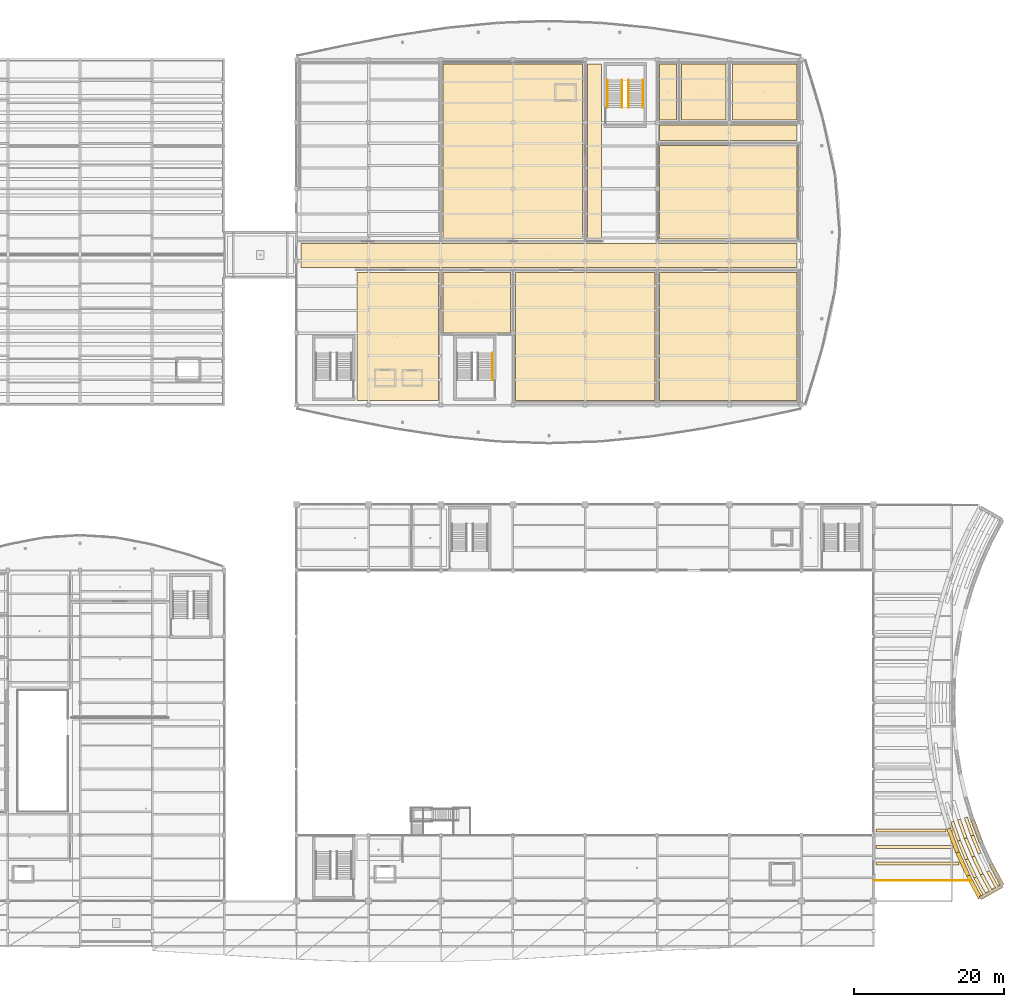
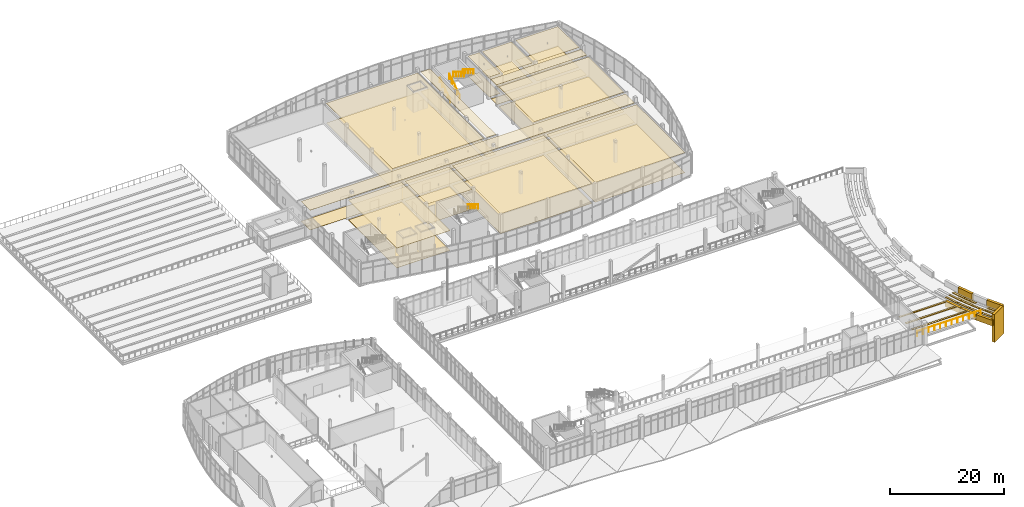
# One storey, part 155 of 157: 44 coverings, 6 railings, 2 elements without a shape of their own.
"""IFC4 building model written with IfcOpenShell, lengths in metres."""

from ifc_helpers import new_model, si_unit, direction, frame, origin, origin_2d, place, context, subcontext, project, spatial, polyline, circle, outline, extrude, material, layer, layer_set, type_object, element, aggregate, save


model = new_model("IFC4")

# Units and contexts
model_context = context("Model", 3, precision=1e-05, world=origin(), true_north=direction((0.0, 1.0)))
body_context = subcontext(model_context, "Body", "Model", "MODEL_VIEW")
ifc_project = project(units=[si_unit("LENGTHUNIT", "METRE"), si_unit("AREAUNIT", "SQUARE_METRE"), si_unit("VOLUMEUNIT", "CUBIC_METRE"), si_unit("PLANEANGLEUNIT", "RADIAN"), si_unit("MASSUNIT", "GRAM", prefix="KILO")], contexts=[model_context])

# Site, building, storey
site_placement = place(None, origin())
site = spatial("IfcSite", under=ifc_project, at=site_placement, CompositionType="ELEMENT")
building_placement = place(site_placement, origin())
building = spatial("IfcBuilding", under=site, at=building_placement, Name="Chalmorin Arch Market", CompositionType="ELEMENT")
storey_placement = place(building_placement, frame((0.0, 0.0, 4.800048828125)))
storey = spatial("IfcBuildingStorey", under=building, at=storey_placement, Name="L01", CompositionType="ELEMENT", Elevation=4.800048828125)

# Coverings
ifc_material_1 = material(Name="Mineral Fibre Acoustic Tile")
ifc_layer_1 = layer(ifc_material_1, 0.044921875)
ifc_layer_set_1 = layer_set([ifc_layer_1], Name="Mineral Fibre Acoustic Tile")
covering_type_1 = type_object("IfcCoveringType", Name="AcousticBaffleCeiling-45", PredefinedType="CEILING", material=ifc_layer_set_1)
covering_1_placement = place(storey_placement, frame((0.0, 0.0, 4.23486328125)))
element("IfcCovering", 1, at=covering_1_placement, inside=storey, type_object=covering_type_1, Name="CLG-01-172", PredefinedType="CEILING", context=body_context, shape_type="SweptSolid", body=[
    extrude(outline(polyline([(56.02001953125, 72.6201171875), (66.8798828125, 72.6201171875), (66.8798828125, 89.679931640625), (56.02001953125, 89.679931640625), (56.02001953125, 72.6201171875)])), origin(), (0.0, 0.0, 1.0), 0.045166015625),
])
covering_2_placement = place(storey_placement, frame((0.0, 0.0, 4.23486328125)))
element("IfcCovering", 2, at=covering_2_placement, inside=storey, type_object=covering_type_1, Name="CLG-01-180", PredefinedType="CEILING", context=body_context, shape_type="SweptSolid", body=[
    extrude(outline(polyline([(48.6201171875, 90.320068359375), (114.580078125, 90.320068359375), (114.580078125, 93.47998046875), (48.6201171875, 93.47998046875), (48.6201171875, 90.320068359375)])), origin(), (0.0, 0.0, 1.0), 0.045166015625),
])
covering_3_placement = place(storey_placement, frame((0.0, 0.0, 4.23486328125)))
element("IfcCovering", 3, at=covering_3_placement, inside=storey, type_object=covering_type_1, Name="CLG-01-184", PredefinedType="CEILING", context=body_context, shape_type="SweptSolid", body=[
    extrude(outline(polyline([(86.719970703125, 94.1201171875), (88.580078125, 94.1201171875), (88.580078125, 117.3798828125), (86.719970703125, 117.3798828125), (86.719970703125, 94.1201171875)])), origin(), (0.0, 0.0, 1.0), 0.045166015625),
])
covering_4_placement = place(storey_placement, frame((0.0, 0.0, 4.23486328125)))
element("IfcCovering", 4, at=covering_4_placement, inside=storey, type_object=covering_type_1, Name="CLG-01-188", PredefinedType="CEILING", context=body_context, shape_type="SweptSolid", body=[
    extrude(outline(polyline([(67.52001953125, 94.1201171875), (86.080078125, 94.1201171875), (86.080078125, 117.3798828125), (67.52001953125, 117.3798828125), (67.52001953125, 94.1201171875)])), origin(), (0.0, 0.0, 1.0), 0.045166015625),
])
covering_5_placement = place(storey_placement, frame((0.0, 0.0, 4.23486328125)))
element("IfcCovering", 5, at=covering_5_placement, inside=storey, type_object=covering_type_1, Name="CLG-01-190", PredefinedType="CEILING", context=body_context, shape_type="SweptSolid", body=[
    extrude(outline(polyline([(96.320068359375, 94.1201171875), (114.580078125, 94.1201171875), (114.580078125, 106.580078125), (96.320068359375, 106.580078125), (96.320068359375, 94.1201171875)])), origin(), (0.0, 0.0, 1.0), 0.045166015625),
])
covering_6_placement = place(storey_placement, frame((0.0, 0.0, 4.23486328125)))
element("IfcCovering", 6, at=covering_6_placement, inside=storey, type_object=covering_type_1, Name="CLG-01-192", PredefinedType="CEILING", context=body_context, shape_type="SweptSolid", body=[
    extrude(outline(polyline([(96.320068359375, 107.219970703125), (114.580078125, 107.219970703125), (114.580078125, 109.280029296875), (96.320068359375, 109.280029296875), (96.320068359375, 107.219970703125)])), origin(), (0.0, 0.0, 1.0), 0.045166015625),
])
ifc_material_2 = material(Name="Epoxy Resin Flooring")
ifc_layer_2 = layer(ifc_material_2, 0.02001953125)
ifc_layer_set_2 = layer_set([ifc_layer_2], Name="Epoxy Resin Flooring")
covering_type_2 = type_object("IfcCoveringType", Name="EpoxySlipResistantKitchenFloor-20", PredefinedType="FLOORING", material=ifc_layer_set_2)
covering_7_placement = place(storey_placement, origin())
element("IfcCovering", 7, at=covering_7_placement, inside=storey, type_object=covering_type_2, Name="FLR-02-173", PredefinedType="FLOORING", context=body_context, shape_type="SweptSolid", body=[
    extrude(outline(polyline([(67.52001953125, 81.6201171875), (76.47998046875, 81.6201171875), (76.47998046875, 89.679931640625), (67.52001953125, 89.679931640625), (67.52001953125, 81.6201171875)])), origin(), (0.0, 0.0, 1.0), 0.02001953125),
])
covering_8_placement = place(storey_placement, origin())
element("IfcCovering", 8, at=covering_8_placement, inside=storey, type_object=covering_type_2, Name="FLR-02-175", PredefinedType="FLOORING", context=body_context, shape_type="SweptSolid", body=[
    extrude(outline(polyline([(77.1201171875, 72.6201171875), (95.679931640625, 72.6201171875), (95.679931640625, 89.679931640625), (77.1201171875, 89.679931640625), (77.1201171875, 72.6201171875)])), origin(), (0.0, 0.0, 1.0), 0.02001953125),
])
covering_9_placement = place(storey_placement, origin())
element("IfcCovering", 9, at=covering_9_placement, inside=storey, type_object=covering_type_2, Name="FLR-02-177", PredefinedType="FLOORING", context=body_context, shape_type="SweptSolid", body=[
    extrude(outline(polyline([(96.320068359375, 72.6201171875), (114.580078125, 72.6201171875), (114.580078125, 89.679931640625), (96.320068359375, 89.679931640625), (96.320068359375, 72.6201171875)])), origin(), (0.0, 0.0, 1.0), 0.02001953125),
])
covering_10_placement = place(storey_placement, origin())
element("IfcCovering", 10, at=covering_10_placement, inside=storey, type_object=covering_type_2, Name="FLR-02-187", PredefinedType="FLOORING", context=body_context, shape_type="SweptSolid", body=[
    extrude(outline(polyline([(67.52001953125, 94.1201171875), (86.080078125, 94.1201171875), (86.080078125, 117.3798828125), (67.52001953125, 117.3798828125), (67.52001953125, 94.1201171875)])), origin(), (0.0, 0.0, 1.0), 0.02001953125),
])
ifc_material_3 = material(Name="Powder-coated Aluminium Panel", Category="aluminium")
ifc_layer_3 = layer(ifc_material_3, 0.034912109375)
ifc_layer_set_3 = layer_set([ifc_layer_3], Name="Powder-coated Aluminium Panel")
covering_type_3 = type_object("IfcCoveringType", Name="HygienicWashableKitchenCeiling-35", PredefinedType="CEILING", material=ifc_layer_set_3)
covering_11_placement = place(storey_placement, frame((0.0, 0.0, 4.244873046875)))
element("IfcCovering", 11, at=covering_11_placement, inside=storey, type_object=covering_type_3, Name="CLG-02-174", PredefinedType="CEILING", context=body_context, shape_type="SweptSolid", body=[
    extrude(outline(polyline([(67.52001953125, 81.6201171875), (76.47998046875, 81.6201171875), (76.47998046875, 89.679931640625), (67.52001953125, 89.679931640625), (67.52001953125, 81.6201171875)])), origin(), (0.0, 0.0, 1.0), 0.03515625),
])
covering_12_placement = place(storey_placement, frame((0.0, 0.0, 4.244873046875)))
element("IfcCovering", 12, at=covering_12_placement, inside=storey, type_object=covering_type_3, Name="CLG-02-176", PredefinedType="CEILING", context=body_context, shape_type="SweptSolid", body=[
    extrude(outline(polyline([(77.1201171875, 72.6201171875), (95.679931640625, 72.6201171875), (95.679931640625, 89.679931640625), (77.1201171875, 89.679931640625), (77.1201171875, 72.6201171875)])), origin(), (0.0, 0.0, 1.0), 0.03515625),
])
covering_13_placement = place(storey_placement, frame((0.0, 0.0, 4.244873046875)))
element("IfcCovering", 13, at=covering_13_placement, inside=storey, type_object=covering_type_3, Name="CLG-02-178", PredefinedType="CEILING", context=body_context, shape_type="SweptSolid", body=[
    extrude(outline(polyline([(96.320068359375, 72.6201171875), (114.580078125, 72.6201171875), (114.580078125, 89.679931640625), (96.320068359375, 89.679931640625), (96.320068359375, 72.6201171875)])), origin(), (0.0, 0.0, 1.0), 0.03515625),
])
ifc_material_4 = material(Name="Gypsum Board Partition")
ifc_layer_4 = layer(ifc_material_4, 0.030029296875)
ifc_layer_set_4 = layer_set([ifc_layer_4], Name="Gypsum Board Partition")
covering_type_4 = type_object("IfcCoveringType", Name="MoistureResistantGypsumCeiling-30", PredefinedType="CEILING", material=ifc_layer_set_4)
covering_14_placement = place(storey_placement, frame((0.0, 0.0, 4.25)))
element("IfcCovering", 14, at=covering_14_placement, inside=storey, type_object=covering_type_4, Name="CLG-03-194", PredefinedType="CEILING", context=body_context, shape_type="SweptSolid", body=[
    extrude(outline(polyline([(96.320068359375, 109.919921875), (98.580078125, 109.919921875), (98.580078125, 117.3798828125), (96.320068359375, 117.3798828125), (96.320068359375, 109.919921875)])), origin(), (0.0, 0.0, 1.0), 0.030029296875),
])
covering_15_placement = place(storey_placement, frame((0.0, 0.0, 4.25)))
element("IfcCovering", 15, at=covering_15_placement, inside=storey, type_object=covering_type_4, Name="CLG-03-196", PredefinedType="CEILING", context=body_context, shape_type="SweptSolid", body=[
    extrude(outline(polyline([(99.219970703125, 109.919921875), (105.179931640625, 109.919921875), (105.179931640625, 117.3798828125), (99.219970703125, 117.3798828125), (99.219970703125, 109.919921875)])), origin(), (0.0, 0.0, 1.0), 0.030029296875),
])
covering_16_placement = place(storey_placement, frame((0.0, 0.0, 4.25)))
element("IfcCovering", 16, at=covering_16_placement, inside=storey, type_object=covering_type_4, Name="CLG-03-198", PredefinedType="CEILING", context=body_context, shape_type="SweptSolid", body=[
    extrude(outline(polyline([(106.02001953125, 109.919921875), (114.580078125, 109.919921875), (114.580078125, 117.3798828125), (106.02001953125, 117.3798828125), (106.02001953125, 109.919921875)])), origin(), (0.0, 0.0, 1.0), 0.030029296875),
])
ifc_material_5 = material(Name="Ceramic Porcelain Tile")
ifc_layer_5 = layer(ifc_material_5, 0.01806640625)
ifc_layer_set_5 = layer_set([ifc_layer_5], Name="Ceramic Porcelain Tile")
covering_type_5 = type_object("IfcCoveringType", Name="PorcelainRestroomTileFloor-18", PredefinedType="FLOORING", material=ifc_layer_set_5)
covering_17_placement = place(storey_placement, origin())
element("IfcCovering", 17, at=covering_17_placement, inside=storey, type_object=covering_type_5, Name="FLR-03-193", PredefinedType="FLOORING", context=body_context, shape_type="SweptSolid", body=[
    extrude(outline(polyline([(96.320068359375, 109.919921875), (98.580078125, 109.919921875), (98.580078125, 117.3798828125), (96.320068359375, 117.3798828125), (96.320068359375, 109.919921875)])), origin(), (0.0, 0.0, 1.0), 0.01806640625),
])
covering_18_placement = place(storey_placement, origin())
element("IfcCovering", 18, at=covering_18_placement, inside=storey, type_object=covering_type_5, Name="FLR-03-195", PredefinedType="FLOORING", context=body_context, shape_type="SweptSolid", body=[
    extrude(outline(polyline([(99.219970703125, 109.919921875), (105.179931640625, 109.919921875), (105.179931640625, 117.3798828125), (99.219970703125, 117.3798828125), (99.219970703125, 109.919921875)])), origin(), (0.0, 0.0, 1.0), 0.01806640625),
])
covering_19_placement = place(storey_placement, origin())
element("IfcCovering", 19, at=covering_19_placement, inside=storey, type_object=covering_type_5, Name="FLR-03-197", PredefinedType="FLOORING", context=body_context, shape_type="SweptSolid", body=[
    extrude(outline(polyline([(106.02001953125, 109.919921875), (114.580078125, 109.919921875), (114.580078125, 117.3798828125), (106.02001953125, 117.3798828125), (106.02001953125, 109.919921875)])), origin(), (0.0, 0.0, 1.0), 0.01806640625),
])

# Stair, railings
ifc_material_6 = material(Name="Concrete C40/50", Category="concrete")
stair_type_1 = type_object("IfcStairType", Name="DoglegExitStair-28R-SC6", PredefinedType="HALF_TURN_STAIR", material=ifc_material_6)
stair_1_placement = place(storey_placement, origin())
stair_1 = element("IfcStair", 20, at=stair_1_placement, inside=storey, type_object=stair_type_1, Name="ST-17", PredefinedType="HALF_TURN_STAIR")
ifc_material_7 = material(Name="Stainless Steel 316", Category="steel")
ifc_layer_6 = layer(ifc_material_7, 0.048095703125)
ifc_layer_set_6 = layer_set([ifc_layer_6], Name="Stainless Steel 316")
railing_type_1 = type_object("IfcRailingType", Name="StairTubeHandrail-920", PredefinedType="HANDRAIL", material=ifc_layer_set_6)
railing_1_placement = place(storey_placement, frame((89.39990234375, 111.610107421875, 0.17138671875)))
railing_1 = element("IfcRailing", 21, at=railing_1_placement, type_object=railing_type_1, Name="HR-01-071", PredefinedType="HANDRAIL", context=body_context, shape_type="SweptSolid", body=[
    extrude(circle(Radius=0.02392578125, at=origin_2d()), frame((0.0, 0.0, 0.89599609375), z_axis=(0.0, 0.852850264322, 0.5221555579), x_axis=(-1.0, 0.0, 0.0)), (0.0, 0.0, 1.0), 4.267822265625),
    extrude(circle(Radius=0.02099609375, at=origin_2d()), origin(), (0.0, 0.0, 1.0), 0.871826171875),
    extrude(circle(Radius=0.02099609375, at=origin_2d()), frame((0.0, 0.909912109375, 0.55712890625)), (0.0, 0.0, 1.0), 0.871826171875),
    extrude(circle(Radius=0.02099609375, at=origin_2d()), frame((0.0, 1.81982421875, 1.1142578125)), (0.0, 0.0, 1.0), 0.871826171875),
    extrude(circle(Radius=0.02099609375, at=origin_2d()), frame((0.0, 2.72998046875, 1.67138671875)), (0.0, 0.0, 1.0), 0.871826171875),
    extrude(circle(Radius=0.02099609375, at=origin_2d()), frame((0.0, 3.639892578125, 2.228515625)), (0.0, 0.0, 1.0), 0.871826171875),
])
railing_2_placement = place(storey_placement, frame((94.10009765625, 115.25, 2.5712890625)))
railing_2 = element("IfcRailing", 22, at=railing_2_placement, type_object=railing_type_1, Name="HR-01-074", PredefinedType="HANDRAIL", context=body_context, shape_type="SweptSolid", body=[
    extrude(circle(Radius=0.02392578125, at=origin_2d()), frame((0.0, 0.0, 0.89599609375), z_axis=(0.0, -0.852824790078, 0.522197163366), x_axis=(1.0, 0.0, 0.0)), (0.0, 0.0, 1.0), 4.26806640625),
    extrude(circle(Radius=0.02099609375, at=origin_2d()), origin(), (0.0, 0.0, 1.0), 0.871826171875),
    extrude(circle(Radius=0.02099609375, at=origin_2d()), frame((0.0, -0.909912109375, 0.55712890625)), (0.0, 0.0, 1.0), 0.871826171875),
    extrude(circle(Radius=0.02099609375, at=origin_2d()), frame((0.0, -1.81982421875, 1.1142578125)), (0.0, 0.0, 1.0), 0.871826171875),
    extrude(circle(Radius=0.02099609375, at=origin_2d()), frame((0.0, -2.72998046875, 1.671630859375)), (0.0, 0.0, 1.0), 0.871826171875),
    extrude(circle(Radius=0.02099609375, at=origin_2d()), frame((0.0, -3.639892578125, 2.228759765625)), (0.0, 0.0, 1.0), 0.871826171875),
])

# Stair, railing
stair_type_2 = type_object("IfcStairType", Name="DoglegExitStair-28R-SC7", PredefinedType="HALF_TURN_STAIR", material=ifc_material_6)
stair_2_placement = place(storey_placement, origin())
stair_2 = element("IfcStair", 23, at=stair_2_placement, inside=storey, type_object=stair_type_2, Name="ST-21", PredefinedType="HALF_TURN_STAIR")
railing_3_placement = place(storey_placement, frame((74.10009765625, 78.949951171875, 2.5712890625)))
railing_3 = element("IfcRailing", 24, at=railing_3_placement, type_object=railing_type_1, Name="HR-01-091", PredefinedType="HANDRAIL", context=body_context, shape_type="SweptSolid", body=[
    extrude(circle(Radius=0.02392578125, at=origin_2d()), frame((0.0, 0.0, 0.89599609375), z_axis=(0.0, -0.852824790078, 0.522197163366), x_axis=(1.0, 0.0, 0.0)), (0.0, 0.0, 1.0), 4.26806640625),
    extrude(circle(Radius=0.02099609375, at=origin_2d()), origin(), (0.0, 0.0, 1.0), 0.871826171875),
    extrude(circle(Radius=0.02099609375, at=origin_2d()), frame((0.0, -0.909912109375, 0.55712890625)), (0.0, 0.0, 1.0), 0.871826171875),
    extrude(circle(Radius=0.02099609375, at=origin_2d()), frame((0.0, -1.81982421875, 1.1142578125)), (0.0, 0.0, 1.0), 0.871826171875),
    extrude(circle(Radius=0.02099609375, at=origin_2d()), frame((0.0, -2.72998046875, 1.671630859375)), (0.0, 0.0, 1.0), 0.871826171875),
    extrude(circle(Radius=0.02099609375, at=origin_2d()), frame((0.0, -3.639892578125, 2.228759765625)), (0.0, 0.0, 1.0), 0.871826171875),
])
aggregate(stair_2, [railing_3])

# Railing
ifc_material_8 = material(Name="Galvanised Steel", Category="steel")
ifc_layer_7 = layer(ifc_material_8, 0.054931640625)
ifc_layer_set_7 = layer_set([ifc_layer_7], Name="Galvanised Steel")
railing_type_2 = type_object("IfcRailingType", Name="StairWellGuardrail-1100", PredefinedType="GUARDRAIL", material=ifc_layer_set_7)
railing_4_placement = place(storey_placement, frame((91.330078125, 111.610107421875, 0.17138671875)))
railing_4 = element("IfcRailing", 25, at=railing_4_placement, type_object=railing_type_2, Name="SG-01-072", PredefinedType="GUARDRAIL", context=body_context, shape_type="SweptSolid", body=[
    extrude(circle(Radius=0.02392578125, at=origin_2d()), frame((0.0, 0.0, 1.076171875), z_axis=(0.0, 0.852850264322, 0.5221555579), x_axis=(-1.0, 0.0, 0.0)), (0.0, 0.0, 1.0), 4.267822265625),
    extrude(circle(Radius=0.02099609375, at=origin_2d()), origin(), (0.0, 0.0, 1.0), 1.052001953125),
    extrude(circle(Radius=0.02099609375, at=origin_2d()), frame((0.0, 0.909912109375, 0.55712890625)), (0.0, 0.0, 1.0), 1.052001953125),
    extrude(circle(Radius=0.02099609375, at=origin_2d()), frame((0.0, 1.81982421875, 1.1142578125)), (0.0, 0.0, 1.0), 1.052001953125),
    extrude(circle(Radius=0.02099609375, at=origin_2d()), frame((0.0, 2.72998046875, 1.67138671875)), (0.0, 0.0, 1.0), 1.052001953125),
    extrude(circle(Radius=0.02099609375, at=origin_2d()), frame((0.0, 3.639892578125, 2.228515625)), (0.0, 0.0, 1.0), 1.052001953125),
])

railing_5_placement = place(storey_placement, frame((92.169921875, 115.25, 2.5712890625)))
railing_5 = element("IfcRailing", 26, at=railing_5_placement, type_object=railing_type_2, Name="SG-01-073", PredefinedType="GUARDRAIL", context=body_context, shape_type="SweptSolid", body=[
    extrude(circle(Radius=0.02392578125, at=origin_2d()), frame((0.0, 0.0, 1.076171875), z_axis=(0.0, -0.852824790078, 0.522197163366), x_axis=(1.0, 0.0, 0.0)), (0.0, 0.0, 1.0), 4.26806640625),
    extrude(circle(Radius=0.02099609375, at=origin_2d()), origin(), (0.0, 0.0, 1.0), 1.052001953125),
    extrude(circle(Radius=0.02099609375, at=origin_2d()), frame((0.0, -0.909912109375, 0.55712890625)), (0.0, 0.0, 1.0), 1.052001953125),
    extrude(circle(Radius=0.02099609375, at=origin_2d()), frame((0.0, -1.81982421875, 1.1142578125)), (0.0, 0.0, 1.0), 1.052001953125),
    extrude(circle(Radius=0.02099609375, at=origin_2d()), frame((0.0, -2.72998046875, 1.671630859375)), (0.0, 0.0, 1.0), 1.052001953125),
    extrude(circle(Radius=0.02099609375, at=origin_2d()), frame((0.0, -3.639892578125, 2.228759765625)), (0.0, 0.0, 1.0), 1.052001953125),
])

aggregate(stair_1, [railing_1, railing_4, railing_5, railing_2])

ifc_layer_8 = layer(ifc_material_8, 0.06005859375)
ifc_layer_set_8 = layer_set([ifc_layer_8], Name="Galvanised Steel")
railing_type_3 = type_object("IfcRailingType", Name="TerraceMeshGuardrail-1100", PredefinedType="GUARDRAIL", material=ifc_layer_set_8)
railing_6_placement = place(storey_placement, frame((124.89990234375, 8.75, 0.0)))
element("IfcRailing", 27, at=railing_6_placement, inside=storey, type_object=railing_type_3, Name="GR-014", PredefinedType="GUARDRAIL", context=body_context, shape_type="SweptSolid", body=[
    extrude(circle(Radius=0.02392578125, at=origin_2d()), frame((0.0, 0.0, 1.076171875), z_axis=(1.0, 0.0, 0.0), x_axis=(0.0, 1.0, 0.0)), (0.0, 0.0, 1.0), 12.877197265625),
    extrude(circle(Radius=0.02099609375, at=origin_2d()), origin(), (0.0, 0.0, 1.0), 1.052001953125),
    extrude(circle(Radius=0.02099609375, at=origin_2d()), frame((1.170654296875, 0.0, 0.0)), (0.0, 0.0, 1.0), 1.052001953125),
    extrude(circle(Radius=0.02099609375, at=origin_2d()), frame((2.34130859375, 0.0, 0.0)), (0.0, 0.0, 1.0), 1.052001953125),
    extrude(circle(Radius=0.02099609375, at=origin_2d()), frame((3.511962890625, 0.0, 0.0)), (0.0, 0.0, 1.0), 1.052001953125),
    extrude(circle(Radius=0.02099609375, at=origin_2d()), frame((4.6826171875, 0.0, 0.0)), (0.0, 0.0, 1.0), 1.052001953125),
    extrude(circle(Radius=0.02099609375, at=origin_2d()), frame((5.853271484375, 0.0, 0.0)), (0.0, 0.0, 1.0), 1.052001953125),
    extrude(circle(Radius=0.02099609375, at=origin_2d()), frame((7.02392578125, 0.0, 0.0)), (0.0, 0.0, 1.0), 1.052001953125),
    extrude(circle(Radius=0.02099609375, at=origin_2d()), frame((8.194580078125, 0.0, 0.0)), (0.0, 0.0, 1.0), 1.052001953125),
    extrude(circle(Radius=0.02099609375, at=origin_2d()), frame((9.365234375, 0.0, 0.0)), (0.0, 0.0, 1.0), 1.052001953125),
    extrude(circle(Radius=0.02099609375, at=origin_2d()), frame((10.535888671875, 0.0, 0.0)), (0.0, 0.0, 1.0), 1.052001953125),
    extrude(circle(Radius=0.02099609375, at=origin_2d()), frame((11.70654296875, 0.0, 0.0)), (0.0, 0.0, 1.0), 1.052001953125),
    extrude(circle(Radius=0.02099609375, at=origin_2d()), frame((12.877197265625, 0.0, 0.0)), (0.0, 0.0, 1.0), 1.052001953125),
])

# Coverings
ifc_material_9 = material(Name="Polished Terrazzo")
ifc_layer_9 = layer(ifc_material_9, 0.02490234375)
ifc_layer_set_9 = layer_set([ifc_layer_9], Name="Polished Terrazzo")
covering_type_6 = type_object("IfcCoveringType", Name="TerrazzoMarketFloorFinish-25", PredefinedType="FLOORING", material=ifc_layer_set_9)
covering_20_placement = place(storey_placement, origin())
element("IfcCovering", 28, at=covering_20_placement, inside=storey, type_object=covering_type_6, Name="FLR-01-171", PredefinedType="FLOORING", context=body_context, shape_type="SweptSolid", body=[
    extrude(outline(polyline([(56.02001953125, 72.6201171875), (66.8798828125, 72.6201171875), (66.8798828125, 89.679931640625), (56.02001953125, 89.679931640625), (56.02001953125, 72.6201171875)])), origin(), (0.0, 0.0, 1.0), 0.02490234375),
])
covering_21_placement = place(storey_placement, origin())
element("IfcCovering", 29, at=covering_21_placement, inside=storey, type_object=covering_type_6, Name="FLR-01-179", PredefinedType="FLOORING", context=body_context, shape_type="SweptSolid", body=[
    extrude(outline(polyline([(48.6201171875, 90.320068359375), (114.580078125, 90.320068359375), (114.580078125, 93.47998046875), (48.6201171875, 93.47998046875), (48.6201171875, 90.320068359375)])), origin(), (0.0, 0.0, 1.0), 0.02490234375),
])
covering_22_placement = place(storey_placement, origin())
element("IfcCovering", 30, at=covering_22_placement, inside=storey, type_object=covering_type_6, Name="FLR-01-183", PredefinedType="FLOORING", context=body_context, shape_type="SweptSolid", body=[
    extrude(outline(polyline([(86.719970703125, 94.1201171875), (88.580078125, 94.1201171875), (88.580078125, 117.3798828125), (86.719970703125, 117.3798828125), (86.719970703125, 94.1201171875)])), origin(), (0.0, 0.0, 1.0), 0.02490234375),
])
covering_23_placement = place(storey_placement, origin())
element("IfcCovering", 31, at=covering_23_placement, inside=storey, type_object=covering_type_6, Name="FLR-01-189", PredefinedType="FLOORING", context=body_context, shape_type="SweptSolid", body=[
    extrude(outline(polyline([(96.320068359375, 94.1201171875), (114.580078125, 94.1201171875), (114.580078125, 106.580078125), (96.320068359375, 106.580078125), (96.320068359375, 94.1201171875)])), origin(), (0.0, 0.0, 1.0), 0.02490234375),
])
covering_24_placement = place(storey_placement, origin())
element("IfcCovering", 32, at=covering_24_placement, inside=storey, type_object=covering_type_6, Name="FLR-01-191", PredefinedType="FLOORING", context=body_context, shape_type="SweptSolid", body=[
    extrude(outline(polyline([(96.320068359375, 107.219970703125), (114.580078125, 107.219970703125), (114.580078125, 109.280029296875), (96.320068359375, 109.280029296875), (96.320068359375, 107.219970703125)])), origin(), (0.0, 0.0, 1.0), 0.02490234375),
])
ifc_material_10 = material(Name="Planted Green Roof Turf")
ifc_layer_10 = layer(ifc_material_10, 0.044921875)
ifc_layer_set_10 = layer_set([ifc_layer_10], Name="Planted Green Roof Turf")
covering_type_7 = type_object("IfcCoveringType", Name="VegetatedMoundTurfStrip-45", PredefinedType="ROOFING", material=ifc_layer_set_10)
covering_25_placement = place(storey_placement, origin())
element("IfcCovering", 33, at=covering_25_placement, inside=storey, type_object=covering_type_7, Name="VMT-45-017", PredefinedType="ROOFING", context=body_context, shape_type="SweptSolid", body=[
    extrude(outline(polyline([(125.10009765625, 10.7900390625), (136.157958984375, 10.7900390625), (136.157958984375, 11.2099609375), (125.10009765625, 11.2099609375), (125.10009765625, 10.7900390625)])), origin(), (0.0, 0.0, 1.0), 0.044921875),
])
covering_26_placement = place(storey_placement, origin())
element("IfcCovering", 34, at=covering_26_placement, inside=storey, type_object=covering_type_7, Name="VMT-45-018", PredefinedType="ROOFING", context=body_context, shape_type="SweptSolid", body=[
    extrude(outline(polyline([(125.10009765625, 12.989990234375), (135.22412109375, 12.989990234375), (135.22412109375, 13.409912109375), (125.10009765625, 13.409912109375), (125.10009765625, 12.989990234375)])), origin(), (0.0, 0.0, 1.0), 0.044921875),
])
covering_27_placement = place(storey_placement, origin())
element("IfcCovering", 35, at=covering_27_placement, inside=storey, type_object=covering_type_7, Name="VMT-45-019", PredefinedType="ROOFING", context=body_context, shape_type="SweptSolid", body=[
    extrude(outline(polyline([(125.10009765625, 15.18994140625), (134.406982421875, 15.18994140625), (134.406982421875, 15.610107421875), (125.10009765625, 15.610107421875), (125.10009765625, 15.18994140625)])), origin(), (0.0, 0.0, 1.0), 0.044921875),
])
covering_28_placement = place(storey_placement, origin())
element("IfcCovering", 36, at=covering_28_placement, inside=storey, type_object=covering_type_7, Name="VMT-45-124", PredefinedType="ROOFING", context=body_context, shape_type="SweptSolid", body=[
    extrude(outline(polyline([(136.8671875, 17.079833984375), (137.72998046875, 14.644775390625), (138.1259765625, 14.78515625), (137.262939453125, 17.22021484375), (136.8671875, 17.079833984375)])), origin(), (0.0, 0.0, 1.0), 0.044921875),
])
covering_29_placement = place(storey_placement, origin())
element("IfcCovering", 37, at=covering_29_placement, inside=storey, type_object=covering_type_7, Name="VMT-45-125", PredefinedType="ROOFING", context=body_context, shape_type="SweptSolid", body=[
    extrude(outline(polyline([(137.73388671875, 14.634521484375), (138.722900390625, 12.24755859375), (139.111083984375, 12.408447265625), (138.1220703125, 14.79541015625), (137.73388671875, 14.634521484375)])), origin(), (0.0, 0.0, 1.0), 0.044921875),
])
covering_30_placement = place(storey_placement, origin())
element("IfcCovering", 38, at=covering_30_placement, inside=storey, type_object=covering_type_7, Name="VMT-45-127", PredefinedType="ROOFING", context=body_context, shape_type="SweptSolid", body=[
    extrude(outline(polyline([(139.844482421875, 9.895751953125), (141.077392578125, 7.624755859375), (141.446533203125, 7.8251953125), (140.213623046875, 10.09619140625), (139.844482421875, 9.895751953125)])), origin(), (0.0, 0.0, 1.0), 0.044921875),
])
covering_31_placement = place(storey_placement, origin())
element("IfcCovering", 39, at=covering_31_placement, inside=storey, type_object=covering_type_7, Name="VMT-45-136", PredefinedType="ROOFING", context=body_context, shape_type="SweptSolid", body=[
    extrude(outline(polyline([(135.964111328125, 16.785888671875), (136.843017578125, 14.303955078125), (137.239013671875, 14.444091796875), (136.360107421875, 16.926025390625), (135.964111328125, 16.785888671875)])), origin(), (0.0, 0.0, 1.0), 0.044921875),
])
covering_32_placement = place(storey_placement, origin())
element("IfcCovering", 40, at=covering_32_placement, inside=storey, type_object=covering_type_7, Name="VMT-45-137", PredefinedType="ROOFING", context=body_context, shape_type="SweptSolid", body=[
    extrude(outline(polyline([(136.846923828125, 14.293701171875), (137.85498046875, 11.860595703125), (138.242919921875, 12.021484375), (137.235107421875, 14.454345703125), (136.846923828125, 14.293701171875)])), origin(), (0.0, 0.0, 1.0), 0.044921875),
])
covering_33_placement = place(storey_placement, origin())
element("IfcCovering", 41, at=covering_33_placement, inside=storey, type_object=covering_type_7, Name="VMT-45-138", PredefinedType="ROOFING", context=body_context, shape_type="SweptSolid", body=[
    extrude(outline(polyline([(137.859375, 11.8505859375), (138.992431640625, 9.4736328125), (139.37158203125, 9.654296875), (138.238525390625, 12.031494140625), (137.859375, 11.8505859375)])), origin(), (0.0, 0.0, 1.0), 0.044921875),
])
covering_34_placement = place(storey_placement, origin())
element("IfcCovering", 42, at=covering_34_placement, inside=storey, type_object=covering_type_7, Name="VMT-45-139", PredefinedType="ROOFING", context=body_context, shape_type="SweptSolid", body=[
    extrude(outline(polyline([(138.99755859375, 9.4638671875), (140.25439453125, 7.14990234375), (140.62353515625, 7.35009765625), (139.366455078125, 9.664306640625), (138.99755859375, 9.4638671875)])), origin(), (0.0, 0.0, 1.0), 0.044921875),
])
covering_35_placement = place(storey_placement, origin())
element("IfcCovering", 43, at=covering_35_placement, inside=storey, type_object=covering_type_7, Name="VMT-45-149", PredefinedType="ROOFING", context=body_context, shape_type="SweptSolid", body=[
    extrude(outline(polyline([(135.06005859375, 16.492919921875), (135.9560546875, 13.9638671875), (136.351806640625, 14.10400390625), (135.455810546875, 16.633056640625), (135.06005859375, 16.492919921875)])), origin(), (0.0, 0.0, 1.0), 0.044921875),
])
covering_36_placement = place(storey_placement, origin())
element("IfcCovering", 44, at=covering_36_placement, inside=storey, type_object=covering_type_7, Name="VMT-45-150", PredefinedType="ROOFING", context=body_context, shape_type="SweptSolid", body=[
    extrude(outline(polyline([(135.9599609375, 13.95361328125), (136.987060546875, 11.474609375), (137.375, 11.635498046875), (136.347900390625, 14.114501953125), (135.9599609375, 13.95361328125)])), origin(), (0.0, 0.0, 1.0), 0.044921875),
])
covering_37_placement = place(storey_placement, origin())
element("IfcCovering", 45, at=covering_37_placement, inside=storey, type_object=covering_type_7, Name="VMT-45-151", PredefinedType="ROOFING", context=body_context, shape_type="SweptSolid", body=[
    extrude(outline(polyline([(136.991455078125, 11.464599609375), (138.146484375, 9.04248046875), (138.525634765625, 9.223388671875), (137.37060546875, 11.6455078125), (136.991455078125, 11.464599609375)])), origin(), (0.0, 0.0, 1.0), 0.044921875),
])
covering_38_placement = place(storey_placement, origin())
element("IfcCovering", 46, at=covering_38_placement, inside=storey, type_object=covering_type_7, Name="VMT-45-152", PredefinedType="ROOFING", context=body_context, shape_type="SweptSolid", body=[
    extrude(outline(polyline([(138.1513671875, 9.03271484375), (139.431396484375, 6.6748046875), (139.800537109375, 6.875244140625), (138.5205078125, 9.233154296875), (138.1513671875, 9.03271484375)])), origin(), (0.0, 0.0, 1.0), 0.044921875),
])
ifc_material_11 = material(Name="Precast concrete C40/50", Category="concrete")
ifc_layer_11 = layer(ifc_material_11, 0.054931640625)
ifc_layer_set_11 = layer_set([ifc_layer_11], Name="Precast concrete C40/50")
covering_type_8 = type_object("IfcCoveringType", Name="WhiteArchitecturalPrecastCladding-55", PredefinedType="CLADDING", material=ifc_layer_set_11)
covering_39_placement = place(storey_placement, frame((0.0, 0.0, -1.18994140625)))
element("IfcCovering", 47, at=covering_39_placement, inside=storey, type_object=covering_type_8, Name="WPC-55-062", PredefinedType="CLADDING", context=body_context, shape_type="SweptSolid", body=[
    extrude(outline(polyline([(137.735595703125, 16.686279296875), (138.855712890625, 13.71044921875), (139.34228515625, 13.8935546875), (138.222412109375, 16.86962890625), (137.735595703125, 16.686279296875)])), origin(), (0.0, 0.0, 1.0), 2.349853515625),
])
covering_40_placement = place(storey_placement, frame((0.0, 0.0, -1.18994140625)))
element("IfcCovering", 48, at=covering_40_placement, inside=storey, type_object=covering_type_8, Name="WPC-55-064", PredefinedType="CLADDING", context=body_context, shape_type="SweptSolid", body=[
    extrude(outline(polyline([(140.1826171875, 10.782470703125), (141.681640625, 7.9775390625), (142.140380859375, 8.222412109375), (140.641357421875, 11.027587890625), (140.1826171875, 10.782470703125)])), origin(), (0.0, 0.0, 1.0), 2.349853515625),
])
covering_41_placement = place(storey_placement, frame((0.0, 0.0, -1.18994140625)))
element("IfcCovering", 49, at=covering_41_placement, inside=storey, type_object=covering_type_8, Name="WPC-55-078", PredefinedType="CLADDING", context=body_context, shape_type="SweptSolid", body=[
    extrude(outline(polyline([(134.5166015625, 15.593505859375), (135.714599609375, 12.408447265625), (136.201416015625, 12.591552734375), (135.00341796875, 15.776611328125), (134.5166015625, 15.593505859375)])), origin(), (0.0, 0.0, 1.0), 1.2099609375),
])
covering_42_placement = place(storey_placement, frame((0.0, 0.0, -1.18994140625)))
element("IfcCovering", 50, at=covering_42_placement, inside=storey, type_object=covering_type_8, Name="WPC-55-079", PredefinedType="CLADDING", context=body_context, shape_type="SweptSolid", body=[
    extrude(outline(polyline([(135.72119140625, 12.392578125), (137.126220703125, 9.293701171875), (137.599853515625, 9.50830078125), (136.19482421875, 12.607421875), (135.72119140625, 12.392578125)])), origin(), (0.0, 0.0, 1.0), 1.2099609375),
])
covering_43_placement = place(storey_placement, frame((0.0, 0.0, -1.18994140625)))
element("IfcCovering", 51, at=covering_43_placement, inside=storey, type_object=covering_type_8, Name="WPC-55-080", PredefinedType="CLADDING", context=body_context, shape_type="SweptSolid", body=[
    extrude(outline(polyline([(137.1337890625, 9.2783203125), (138.73779296875, 6.27734375), (139.1962890625, 6.522705078125), (137.59228515625, 9.523681640625), (137.1337890625, 9.2783203125)])), origin(), (0.0, 0.0, 1.0), 1.2099609375),
])
covering_44_placement = place(storey_placement, frame((0.0, 0.0, -4.7900390625)))
element("IfcCovering", 52, at=covering_44_placement, inside=storey, type_object=covering_type_8, Name="WPC-55-088", PredefinedType="CLADDING", context=body_context, shape_type="SweptSolid", body=[
    extrude(outline(polyline([(141.7470703125, 8.30517578125), (138.87109375, 6.645263671875), (139.131103515625, 6.19482421875), (142.007080078125, 7.854736328125), (141.7470703125, 8.30517578125)])), origin(), (0.0, 0.0, 1.0), 5.949951171875),
])

save(model, "model.ifc")
